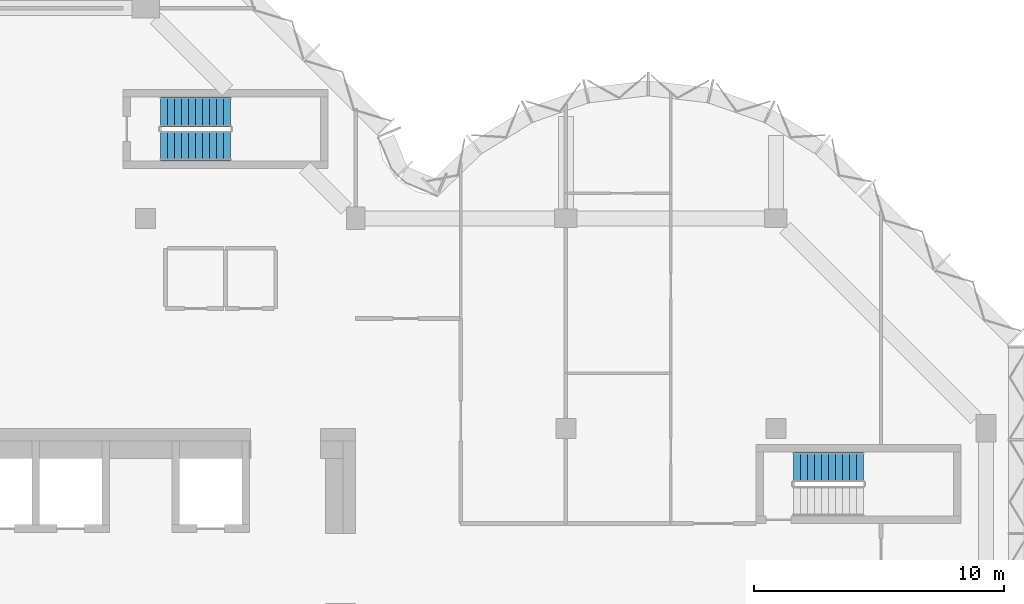
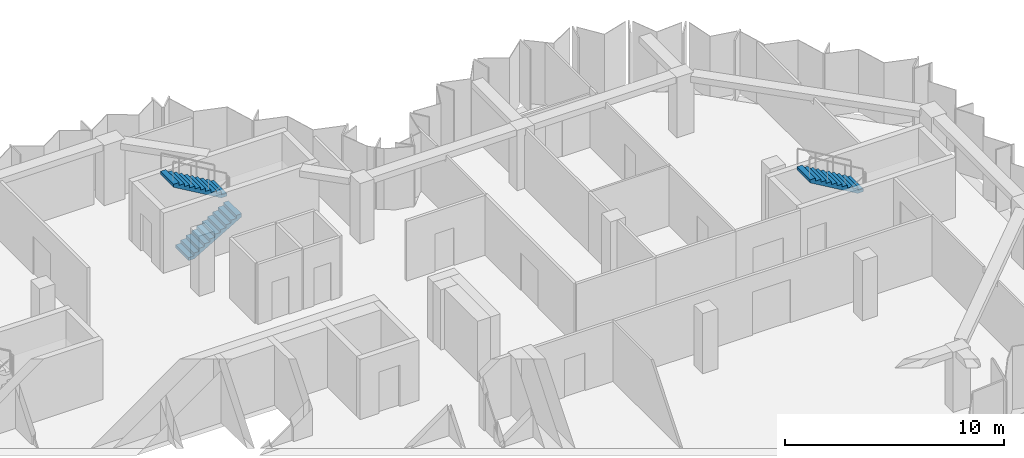
# One storey, part 7 of 9: 3 stair flights, 2 elements without a shape of their own.
"""IFC4 building model written with IfcOpenShell, lengths in metres."""

from ifc_helpers import new_model, si_unit, direction, frame, origin, place, context, subcontext, project, spatial, polyline, outline, extrude, material, type_object, element, aggregate, save


model = new_model("IFC4")

# Units and contexts
model_context = context("Model", 3, precision=1e-05, world=origin(), true_north=direction((0.0, 1.0)))
body_context = subcontext(model_context, "Body", "Model", "MODEL_VIEW")
ifc_project = project(units=[si_unit("LENGTHUNIT", "METRE"), si_unit("AREAUNIT", "SQUARE_METRE"), si_unit("VOLUMEUNIT", "CUBIC_METRE"), si_unit("PLANEANGLEUNIT", "RADIAN"), si_unit("MASSUNIT", "GRAM", prefix="KILO")], contexts=[model_context])

# Site, building, storey
site_placement = place(None, origin())
site = spatial("IfcSite", under=ifc_project, at=site_placement, CompositionType="ELEMENT")
building_placement = place(site_placement, origin())
building = spatial("IfcBuilding", under=site, at=building_placement, Name="Brevane Broadcast Tower", CompositionType="ELEMENT")
storey_placement = place(building_placement, frame((0.0, 0.0, 244.5)))
storey = spatial("IfcBuildingStorey", under=building, at=storey_placement, Name="L62", CompositionType="ELEMENT", Elevation=244.5)

# Stair, stair flights
ifc_material = material(Name="Concrete C50/60", Category="concrete")
stair_type = type_object("IfcStairType", Name="Exit stair 22 risers", PredefinedType="HALF_TURN_STAIR", material=ifc_material)
stair_1_placement = place(storey_placement, origin())
stair_1 = element("IfcStair", 1, at=stair_1_placement, inside=storey, type_object=stair_type, Name="L62 Exit stair ST-3", PredefinedType="HALF_TURN_STAIR")
stair_flight_type = type_object("IfcStairFlightType", Name="Exit stair flight 22 risers", PredefinedType="STRAIGHT", material=ifc_material)
stair_flight_1_placement = place(storey_placement, frame((17.39990234375, 28.10009765625, 0.0), z_axis=(0.0, 0.0, 1.0), x_axis=(1.0, 0.0, 0.0)))
stair_flight_1 = element("IfcStairFlight", 2, at=stair_flight_1_placement, type_object=stair_flight_type, Name="ST-3 flight 1", NumberOfRisers=11, NumberOfTreads=10, PredefinedType="STRAIGHT", RiserHeight=0.163636364, TreadLength=0.28, context=body_context, shape_type="SweptSolid", body=[
    extrude(outline(polyline([(0.0, 0.0), (0.0, 0.16357421875), (0.280029296875, 0.16357421875), (0.280029296875, 0.327392578125), (0.56005859375, 0.327392578125), (0.56005859375, 0.490966796875), (0.840087890625, 0.490966796875), (0.840087890625, 0.654541015625), (1.1201171875, 0.654541015625), (1.1201171875, 0.818115234375), (1.39990234375, 0.818115234375), (1.39990234375, 0.98193359375), (1.679931640625, 0.98193359375), (1.679931640625, 1.1455078125), (1.9599609375, 1.1455078125), (1.9599609375, 1.30908203125), (2.239990234375, 1.30908203125), (2.239990234375, 1.47265625), (2.52001953125, 1.47265625), (2.52001953125, 1.636474609375), (2.800048828125, 1.636474609375), (2.800048828125, 1.800048828125), (2.800048828125, 1.462646484375), (0.297119140625, 0.0), (0.0, 0.0)])), frame((0.0, 0.60009765625, 0.0), z_axis=(0.0, -1.0, 0.0), x_axis=(1.0, 0.0, 0.0)), (0.0, 0.0, 1.0), 1.199951171875),
])
stair_flight_2_placement = place(storey_placement, frame((20.199951171875, 29.449951171875, 1.800048828125), z_axis=(0.0, 0.0, 1.0), x_axis=(-1.0, 0.0, 0.0)))
stair_flight_2 = element("IfcStairFlight", 3, at=stair_flight_2_placement, type_object=stair_flight_type, Name="ST-3 flight 2", NumberOfRisers=11, NumberOfTreads=10, PredefinedType="STRAIGHT", RiserHeight=0.163636364, TreadLength=0.28, context=body_context, shape_type="SweptSolid", body=[
    extrude(outline(polyline([(0.0, 0.0), (0.0, 0.16357421875), (0.280029296875, 0.16357421875), (0.280029296875, 0.327392578125), (0.56005859375, 0.327392578125), (0.56005859375, 0.490966796875), (0.840087890625, 0.490966796875), (0.840087890625, 0.654541015625), (1.1201171875, 0.654541015625), (1.1201171875, 0.818115234375), (1.39990234375, 0.818115234375), (1.39990234375, 0.98193359375), (1.679931640625, 0.98193359375), (1.679931640625, 1.1455078125), (1.9599609375, 1.1455078125), (1.9599609375, 1.30908203125), (2.239990234375, 1.30908203125), (2.239990234375, 1.47265625), (2.52001953125, 1.47265625), (2.52001953125, 1.636474609375), (2.800048828125, 1.636474609375), (2.800048828125, 1.800048828125), (2.800048828125, 1.462646484375), (0.297119140625, 0.0), (0.0, 0.0)])), frame((0.0, 0.60009765625, 0.0), z_axis=(0.0, -1.0, 0.0), x_axis=(1.0, 0.0, 0.0)), (0.0, 0.0, 1.0), 1.199951171875),
])
aggregate(stair_1, [stair_flight_1, stair_flight_2])

# Stair, stair flight
stair_2_placement = place(storey_placement, origin())
stair_2 = element("IfcStair", 4, at=stair_2_placement, inside=storey, type_object=stair_type, Name="L62 Exit stair ST-4", PredefinedType="HALF_TURN_STAIR")
stair_flight_3_placement = place(storey_placement, frame((45.5, 15.25, 1.800048828125), z_axis=(0.0, 0.0, 1.0), x_axis=(-1.0, 0.0, 0.0)))
stair_flight_3 = element("IfcStairFlight", 5, at=stair_flight_3_placement, type_object=stair_flight_type, Name="ST-4 flight 2", NumberOfRisers=11, NumberOfTreads=10, PredefinedType="STRAIGHT", RiserHeight=0.163636364, TreadLength=0.28, context=body_context, shape_type="SweptSolid", body=[
    extrude(outline(polyline([(0.0, 0.0), (0.0, 0.16357421875), (0.280029296875, 0.16357421875), (0.280029296875, 0.327392578125), (0.56005859375, 0.327392578125), (0.56005859375, 0.490966796875), (0.840087890625, 0.490966796875), (0.840087890625, 0.654541015625), (1.1201171875, 0.654541015625), (1.1201171875, 0.818115234375), (1.39990234375, 0.818115234375), (1.39990234375, 0.98193359375), (1.679931640625, 0.98193359375), (1.679931640625, 1.1455078125), (1.9599609375, 1.1455078125), (1.9599609375, 1.30908203125), (2.239990234375, 1.30908203125), (2.239990234375, 1.47265625), (2.52001953125, 1.47265625), (2.52001953125, 1.636474609375), (2.800048828125, 1.636474609375), (2.800048828125, 1.800048828125), (2.800048828125, 1.462646484375), (0.297119140625, 0.0), (0.0, 0.0)])), frame((0.0, 0.60009765625, 0.0), z_axis=(0.0, -1.0, 0.0), x_axis=(1.0, 0.0, 0.0)), (0.0, 0.0, 1.0), 1.199951171875),
])
aggregate(stair_2, [stair_flight_3])

save(model, "model.ifc")
